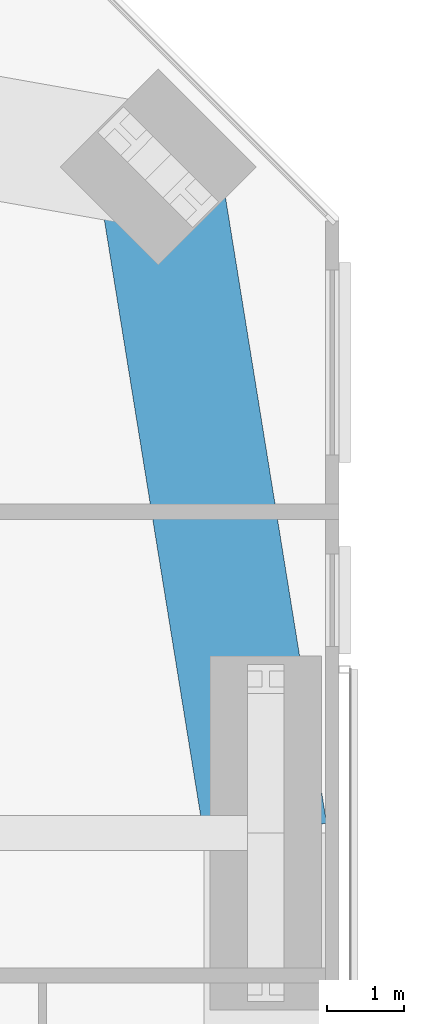
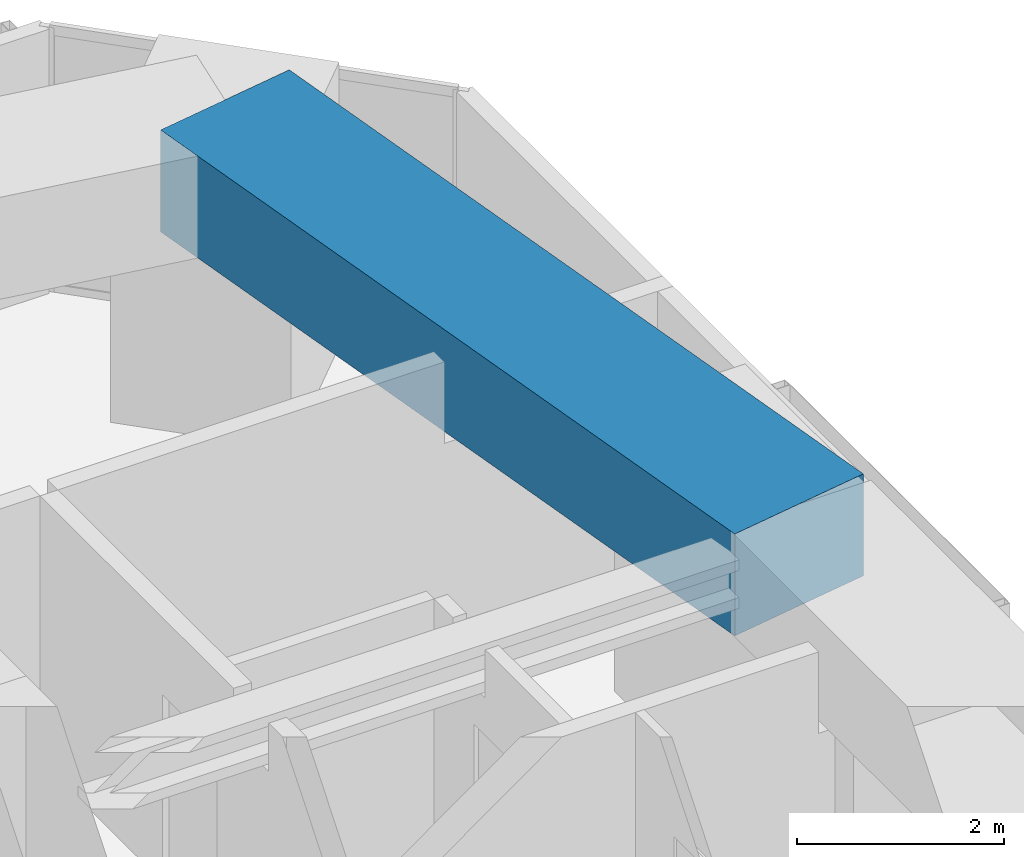
# One storey, part 9 of 22: 1 beam.
"""IFC4 building model written with IfcOpenShell, lengths in metres."""

from ifc_helpers import new_model, si_unit, direction, frame, origin, origin_2d, place, context, subcontext, project, spatial, rectangle, extrude, material, material_profile, profile_set, type_object, element, save


model = new_model("IFC4")

# Units and contexts
model_context = context("Model", 3, precision=1e-05, world=origin(), true_north=direction((0.0, 1.0)))
body_context = subcontext(model_context, "Body", "Model", "MODEL_VIEW")
ifc_project = project(units=[si_unit("LENGTHUNIT", "METRE"), si_unit("AREAUNIT", "SQUARE_METRE"), si_unit("VOLUMEUNIT", "CUBIC_METRE"), si_unit("PLANEANGLEUNIT", "RADIAN"), si_unit("MASSUNIT", "GRAM", prefix="KILO")], contexts=[model_context])

# Site, building, storey
site_placement = place(None, origin())
site = spatial("IfcSite", under=ifc_project, at=site_placement, CompositionType="ELEMENT")
building_placement = place(site_placement, origin())
building = spatial("IfcBuilding", under=site, at=building_placement, Name="Jalousie Tower", CompositionType="ELEMENT")
storey_placement = place(building_placement, frame((0.0, 0.0, 177.800048828125)))
storey = spatial("IfcBuildingStorey", under=building, at=storey_placement, Name="L48", CompositionType="ELEMENT", Elevation=177.800048828125)

# Beam
ifc_material = material(Name="Concrete f'c 40 MPa", Category="concrete")
ifc_material_profile = material_profile(ifc_material, rectangle(XDim=1.60009765625, YDim=1.199951171875, at=origin_2d()), Name="RC 1600x1200")
ifc_profile_set = profile_set([ifc_material_profile], Name="Concrete f'c 40 MPa")
beam_type = type_object("IfcBeamType", Name="RC BEAM 1600x1200", PredefinedType="BEAM", material=ifc_profile_set)
beam_placement = place(storey_placement, frame((52.050048828125, 25.0, 2.75), z_axis=(-0.159567878256, 0.987186959106, 0.0), x_axis=(-0.987186959106, -0.159567878256, 0.0)))
element("IfcBeam", 1, at=beam_placement, inside=storey, type_object=beam_type, Name="Edge band beam 07-08 under L49", PredefinedType="BEAM", context=body_context, shape_type="SweptSolid", body=[
    extrude(rectangle(XDim=1.60009765625, YDim=1.199951171875, at=origin_2d()), origin(), (0.0, 0.0, 1.0), 8.763916015625),
])

save(model, "model.ifc")
